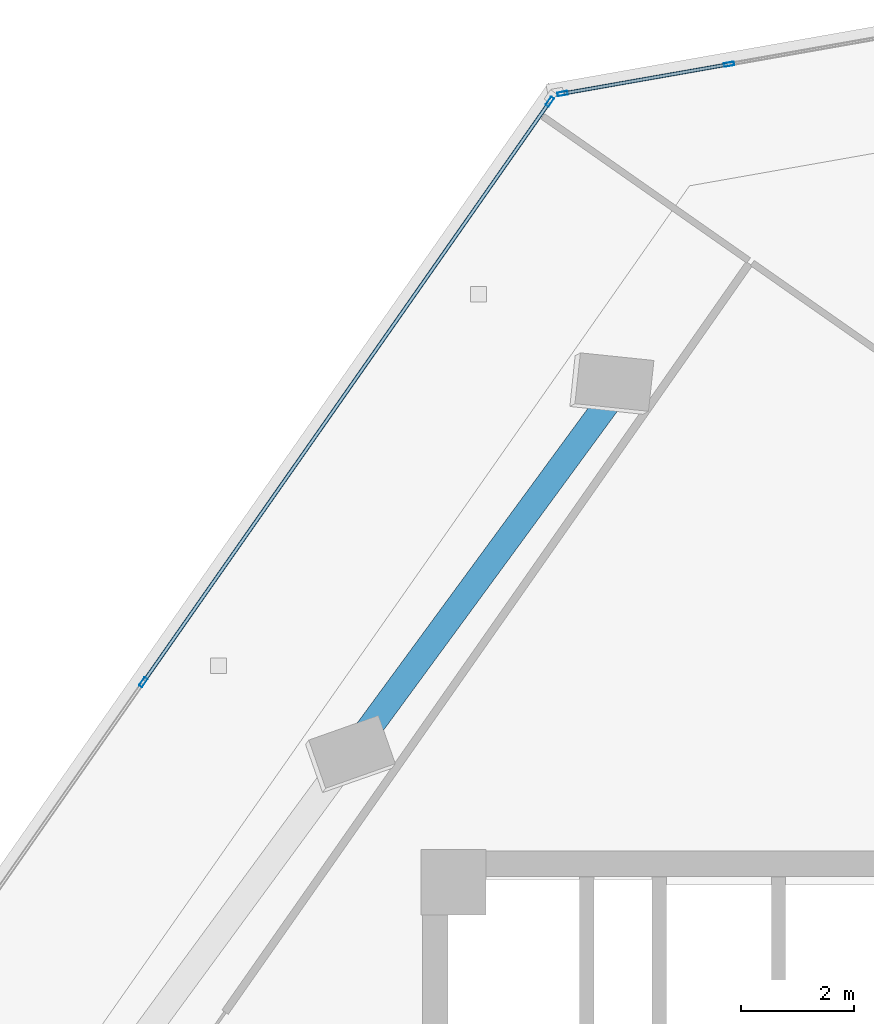
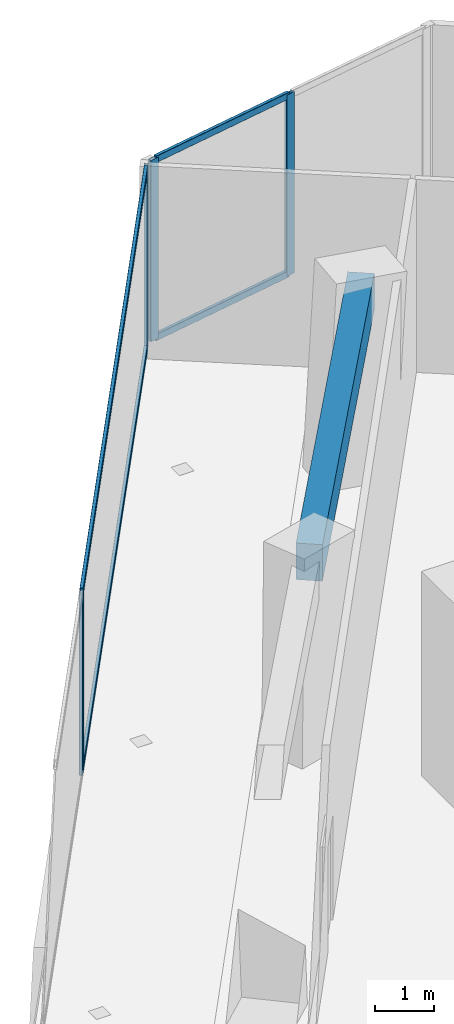
# One storey, part 13 of 22: 8 members, 1 beam, 2 elements without a shape of their own.
"""IFC4 building model written with IfcOpenShell, lengths in metres."""

from ifc_helpers import new_model, si_unit, direction, frame, origin, origin_2d, place, context, subcontext, project, spatial, rectangle, hollow_rectangle, extrude, source, transform, mapped, material, material_profile, profile_set, type_object, element, aggregate, save


model = new_model("IFC4")

# Units and contexts
model_context = context("Model", 3, precision=1e-05, world=origin(), true_north=direction((0.0, 1.0)))
body_context = subcontext(model_context, "Body", "Model", "MODEL_VIEW")
ifc_project = project(units=[si_unit("LENGTHUNIT", "METRE"), si_unit("AREAUNIT", "SQUARE_METRE"), si_unit("VOLUMEUNIT", "CUBIC_METRE"), si_unit("PLANEANGLEUNIT", "RADIAN"), si_unit("MASSUNIT", "GRAM", prefix="KILO")], contexts=[model_context])

# Site, building, storey
site_placement = place(None, origin())
site = spatial("IfcSite", under=ifc_project, at=site_placement, CompositionType="ELEMENT")
building_placement = place(site_placement, origin())
building = spatial("IfcBuilding", under=site, at=building_placement, Name="Torre Montelarca", CompositionType="ELEMENT")
storey_placement = place(building_placement, frame((0.0, 0.0, 196.0)))
storey = spatial("IfcBuildingStorey", under=building, at=storey_placement, Name="L44", CompositionType="ELEMENT", Elevation=196.0)

# Beam
ifc_material_1 = material(Name="Concrete C55/67", Category="concrete")
ifc_material_profile_1 = material_profile(ifc_material_1, rectangle(XDim=0.449951171875, YDim=0.75, at=origin_2d()), Name="RCB450X750", Category="concrete")
ifc_profile_set_1 = profile_set([ifc_material_profile_1], Name="Concrete C55/67")
beam_type = type_object("IfcBeamType", Name="BM-SP-RC750-EXT", PredefinedType="SPANDREL", material=ifc_profile_set_1)
shared_shape_1 = source(origin(), body_context, "Body", "SweptSolid", [
    extrude(rectangle(XDim=0.449951171875, YDim=0.75, at=origin_2d()), origin(), (0.0, 0.0, 1.0), 8.0),
])
beam_placement = place(storey_placement, frame((7.911376953125, 41.963623046875, 3.5849609375), z_axis=(0.591317356393, 0.80643895245, 0.0), x_axis=(-0.80643895245, 0.591317356393, 0.0)))
element("IfcBeam", 1, at=beam_placement, inside=storey, type_object=beam_type, Name="L44 Grid Girder Y 32.0-40.0 at X=4.7", PredefinedType="SPANDREL", context=body_context, shape_type="MappedRepresentation", body=[
    mapped(shared_shape_1, transform((0.0, 0.0, 0.0), scale=1.0)),
])

# Curtain wall, members
ifc_material_2 = material(Name="Insulated low-E laminated glass", Category="glass")
curtain_wall_type = type_object("IfcCurtainWallType", Name="CW-SYS-Z2", PredefinedType="USERDEFINED", material=ifc_material_2)
curtain_wall_1_placement = place(storey_placement, origin())
curtain_wall_1 = element("IfcCurtainWall", 2, at=curtain_wall_1_placement, inside=storey, type_object=curtain_wall_type, Name="L44 Curtain Wall Run CW-T3-L44-E09-B1", ObjectType="UNITISED GLAZING", PredefinedType="USERDEFINED")
ifc_material_3 = material(Name="Anodised aluminium AA 6063-T6", Category="aluminium")
ifc_material_profile_2 = material_profile(ifc_material_3, hollow_rectangle(XDim=0.06494140625, YDim=0.139892578125, WallThickness=0.00390625, InnerFilletRadius=0.00390625, OuterFilletRadius=0.008056640625, at=origin_2d()), Name="ALU65X140X4", Category="aluminium")
ifc_profile_set_2 = profile_set([ifc_material_profile_2], Name="Anodised aluminium AA 6063-T6")
member_type_1 = type_object("IfcMemberType", Name="CWT-ALU140", PredefinedType="USERDEFINED", material=ifc_profile_set_2)
shared_shape_2 = source(origin(), body_context, "Body", "SweptSolid", [
    extrude(hollow_rectangle(XDim=0.06494140625, YDim=0.139892578125, WallThickness=0.00390625, InnerFilletRadius=0.00390625, OuterFilletRadius=0.008056640625, at=origin_2d()), origin(), (0.0, 0.0, 1.0), 2.918701171875),
])
member_1_placement = place(storey_placement, frame((14.378662109375, 53.8759765625, 0.032470703125), z_axis=(-0.984806287351, -0.173656489641, 0.0), x_axis=(0.173656489641, -0.984806287351, 0.0)))
member_1 = element("IfcMember", 3, at=member_1_placement, type_object=member_type_1, Name="CW transom 2.1", ObjectType="TRANSOM", PredefinedType="USERDEFINED", context=body_context, shape_type="MappedRepresentation", body=[
    mapped(shared_shape_2, transform((0.0, 0.0, 0.0), scale=1.0)),
])
member_2_placement = place(storey_placement, frame((14.378662109375, 53.8759765625, 3.6875), z_axis=(-0.984806287351, -0.173656489641, 0.0), x_axis=(0.173656489641, -0.984806287351, 0.0)))
member_2 = element("IfcMember", 4, at=member_2_placement, type_object=member_type_1, Name="CW transom 2.2", ObjectType="TRANSOM", PredefinedType="USERDEFINED", context=body_context, shape_type="MappedRepresentation", body=[
    mapped(shared_shape_2, transform((0.0, 0.0, 0.0), scale=1.0)),
])

curtain_wall_2_placement = place(storey_placement, origin())
curtain_wall_2 = element("IfcCurtainWall", 5, at=curtain_wall_2_placement, inside=storey, type_object=curtain_wall_type, Name="L44 Curtain Wall Run CW-T3-L44-E10-B1", ObjectType="UNITISED GLAZING", PredefinedType="USERDEFINED")
shared_shape_3 = source(origin(), body_context, "Body", "SweptSolid", [
    extrude(hollow_rectangle(XDim=0.06494140625, YDim=0.139892578125, WallThickness=0.00390625, InnerFilletRadius=0.00390625, OuterFilletRadius=0.008056640625, at=origin_2d()), origin(), (0.0, 0.0, 1.0), 12.4365234375),
])
member_3_placement = place(storey_placement, frame((11.228515625, 53.193359375, 0.032470703125), z_axis=(-0.573573009469, -0.819154443807, 0.0), x_axis=(0.819154443807, -0.573573009469, 0.0)))
member_3 = element("IfcMember", 6, at=member_3_placement, type_object=member_type_1, Name="CW transom 1.1", ObjectType="TRANSOM", PredefinedType="USERDEFINED", context=body_context, shape_type="MappedRepresentation", body=[
    mapped(shared_shape_3, transform((0.0, 0.0, 0.0), scale=1.0)),
])
member_4_placement = place(storey_placement, frame((11.228515625, 53.193359375, 3.6875), z_axis=(-0.573573009469, -0.819154443807, 0.0), x_axis=(0.819154443807, -0.573573009469, 0.0)))
member_4 = element("IfcMember", 7, at=member_4_placement, type_object=member_type_1, Name="CW transom 1.2", ObjectType="TRANSOM", PredefinedType="USERDEFINED", context=body_context, shape_type="MappedRepresentation", body=[
    mapped(shared_shape_3, transform((0.0, 0.0, 0.0), scale=1.0)),
])

# Member
ifc_material_profile_3 = material_profile(ifc_material_3, hollow_rectangle(XDim=0.06494140625, YDim=0.179931640625, WallThickness=0.00390625, InnerFilletRadius=0.00390625, OuterFilletRadius=0.008056640625, at=origin_2d()), Name="ALU65X180X4", Category="aluminium")
ifc_profile_set_3 = profile_set([ifc_material_profile_3], Name="Anodised aluminium AA 6063-T6")
member_type_2 = type_object("IfcMemberType", Name="CWM-ALU180", PredefinedType="MULLION", material=ifc_profile_set_3)
shared_shape_4 = source(origin(), body_context, "Body", "SweptSolid", [
    extrude(hollow_rectangle(XDim=0.06494140625, YDim=0.179931640625, WallThickness=0.00390625, InnerFilletRadius=0.00390625, OuterFilletRadius=0.008056640625, at=origin_2d()), origin(), (0.0, 0.0, 1.0), 3.719970703125),
])
member_5_placement = place(storey_placement, frame((14.41064453125, 53.881591796875, 0.0), z_axis=(0.0, 0.0, 1.0), x_axis=(0.173634019333, -0.984810249404, 0.0)))
member_5 = element("IfcMember", 8, at=member_5_placement, type_object=member_type_2, Name="CW mullion 2", PredefinedType="MULLION", context=body_context, shape_type="MappedRepresentation", body=[
    mapped(shared_shape_4, transform((0.0, 0.0, 0.0), scale=1.0)),
])

member_6_placement = place(storey_placement, frame((11.472412109375, 53.363525390625, 0.0), z_axis=(0.0, 0.0, 1.0), x_axis=(0.173634019333, -0.984810249404, 0.0)))
member_6 = element("IfcMember", 9, at=member_6_placement, type_object=member_type_2, Name="CW mullion 3", PredefinedType="MULLION", context=body_context, shape_type="MappedRepresentation", body=[
    mapped(shared_shape_4, transform((0.0, 0.0, 0.0), scale=1.0)),
])

aggregate(curtain_wall_1, [member_5, member_6, member_1, member_2])

member_7_placement = place(storey_placement, frame((11.2470703125, 53.219970703125, 0.0), z_axis=(0.0, 0.0, 1.0), x_axis=(0.81915751291, -0.573568626271, 0.0)))
member_7 = element("IfcMember", 10, at=member_7_placement, type_object=member_type_2, Name="CW mullion 1", PredefinedType="MULLION", context=body_context, shape_type="MappedRepresentation", body=[
    mapped(shared_shape_4, transform((0.0, 0.0, 0.0), scale=1.0)),
])

member_8_placement = place(storey_placement, frame((4.076416015625, 42.979248046875, 0.0), z_axis=(0.0, 0.0, 1.0), x_axis=(0.81915751291, -0.573568626271, 0.0)))
member_8 = element("IfcMember", 11, at=member_8_placement, type_object=member_type_2, Name="CW mullion 2", PredefinedType="MULLION", context=body_context, shape_type="MappedRepresentation", body=[
    mapped(shared_shape_4, transform((0.0, 0.0, 0.0), scale=1.0)),
])

aggregate(curtain_wall_2, [member_7, member_8, member_3, member_4])

save(model, "model.ifc")
